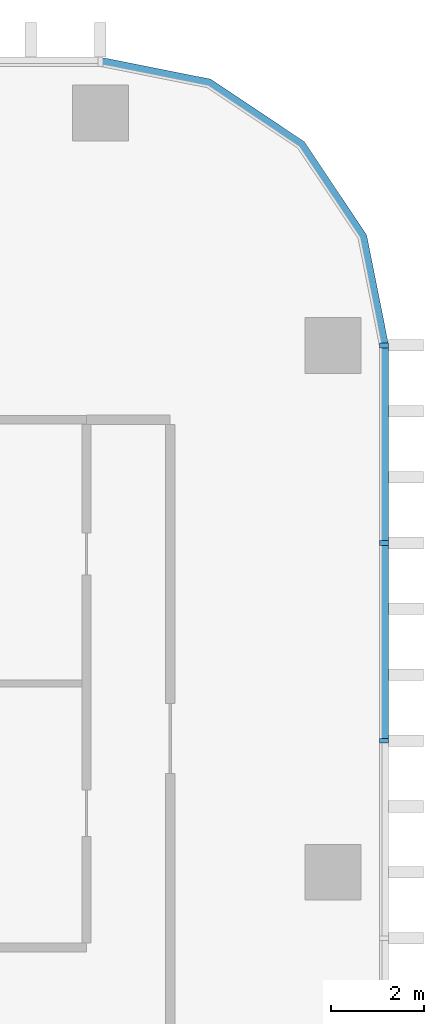
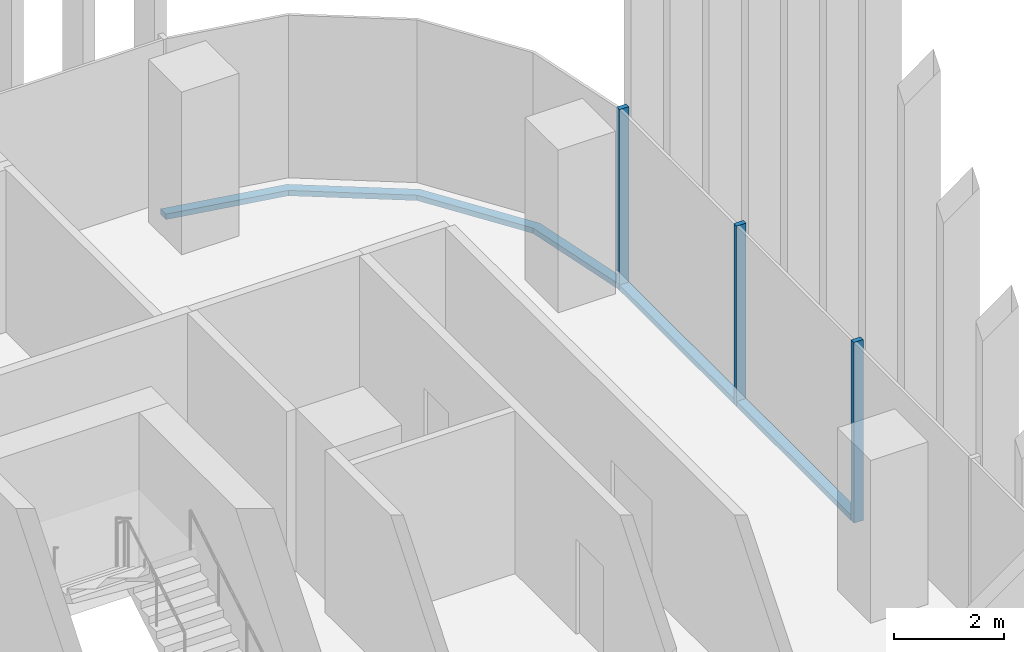
# One storey, part 5 of 16: 6 members, 2 elements without a shape of their own.
"""IFC4 building model written with IfcOpenShell, lengths in metres."""

import ifcopenshell
import ifcopenshell.guid

model = None  # the IFC model being written
_history = None  # IfcOwnerHistory: only IFC2X3 demands one
_inside = {}  # id of a spatial element -> (the spatial element, [elements in it])
_under = {}  # id of a project, library or spatial element -> (it, [spatial elements below it])
_declared = {}  # id of a project -> (the project, [libraries it declares])
_typed = {}  # id of a type object -> (the type object, [elements of that type])
_made_of = {}  # id of a material, layer set ... -> (it, [elements and type objects made of it])


def new_model(schema):
    """Start an empty IFC model of exactly this schema.

    Asked for "IFC4X3", IfcOpenShell would pick the latest addendum, in which some entities
    have other attributes; the version numbers below select the first issue.
    IFC2X3 requires an IfcOwnerHistory on every rooted entity: one is made here for all.
    """
    global model, _history
    if schema == "IFC4X3":
        model = ifcopenshell.file(schema_version=(4, 3, 0, 0))
    else:
        model = ifcopenshell.file(schema=schema)
    _inside.clear()
    _under.clear()
    _declared.clear()
    _typed.clear()
    _made_of.clear()
    _history = None
    if model.schema == "IFC2X3":
        org = make("IfcOrganization", Name="unknown")
        user = make(
            "IfcPersonAndOrganization",
            ThePerson=make("IfcPerson", FamilyName="unknown"),
            TheOrganization=org,
        )
        app = make(
            "IfcApplication",
            ApplicationDeveloper=org,
            Version="unknown",
            ApplicationFullName="unknown",
            ApplicationIdentifier="unknown",
        )
        _history = make(
            "IfcOwnerHistory",
            OwningUser=user,
            OwningApplication=app,
            ChangeAction="ADDED",
            CreationDate=0,
        )
    return model


def make(cls, **values):
    """One entity of the class cls with the attributes given. An attribute that is None is left unset."""
    return model.create_entity(
        cls, **{name: value for name, value in values.items() if value is not None}
    )


def rooted(cls, **values):
    """An entity with a GlobalId (a new one), such as an element, a storey or a relation."""
    return make(cls, GlobalId=ifcopenshell.guid.new(), OwnerHistory=_history, **values)


def si_unit(unit_type, name, prefix=None):
    """IfcSIUnit, for example si_unit("LENGTHUNIT", "METRE", prefix="MILLI")."""
    return make("IfcSIUnit", UnitType=unit_type, Prefix=prefix, Name=name)


def assignment(units):
    """IfcUnitAssignment: the units of a project."""
    return None if units is None else make("IfcUnitAssignment", Units=units)


def point(xyz):
    """IfcCartesianPoint."""
    return None if xyz is None else make("IfcCartesianPoint", Coordinates=xyz)


def direction(xyz):
    """IfcDirection."""
    return None if xyz is None else make("IfcDirection", DirectionRatios=xyz)


def frame(location, z_axis=None, x_axis=None):
    """IfcAxis2Placement3D, a coordinate frame: its origin and axes. An axis left out is left unset."""
    return make(
        "IfcAxis2Placement3D",
        Location=point(location),
        Axis=direction(z_axis),
        RefDirection=direction(x_axis),
    )


def frame_2d(location, x_axis=None):
    """IfcAxis2Placement2D, a coordinate frame in the plane: its origin and x axis."""
    return make(
        "IfcAxis2Placement2D", Location=point(location), RefDirection=direction(x_axis)
    )


def origin():
    """The frame at (0, 0, 0) with its axes left unset."""
    return frame((0.0, 0.0, 0.0))


def origin_2d():
    """The frame at (0, 0) in the plane with its x axis left unset."""
    return frame_2d((0.0, 0.0))


def place(relative_to, where):
    """IfcLocalPlacement: puts the frame where relative to a parent placement (None: the world)."""
    return make(
        "IfcLocalPlacement", PlacementRelTo=relative_to, RelativePlacement=where
    )


def context(
    kind, dimensions, precision=None, world=None, true_north=None, identifier=None
):
    """IfcGeometricRepresentationContext, for example the 3D "Model" context."""
    return make(
        "IfcGeometricRepresentationContext",
        ContextIdentifier=identifier,
        ContextType=kind,
        CoordinateSpaceDimension=dimensions,
        Precision=precision,
        WorldCoordinateSystem=world,
        TrueNorth=true_north,
    )


def subcontext(parent, identifier, kind, view, scale=None):
    """IfcGeometricRepresentationSubContext, for example "Body" below "Model"."""
    return make(
        "IfcGeometricRepresentationSubContext",
        ContextIdentifier=identifier,
        ContextType=kind,
        ParentContext=parent,
        TargetScale=scale,
        TargetView=view,
    )


def project(units=None, contexts=None):
    """IfcProject with its units and contexts."""
    return rooted(
        "IfcProject",
        Name="project",
        RepresentationContexts=contexts,
        UnitsInContext=assignment(units),
    )


def spatial(cls, under=None, at=None, **own):
    """A site, building, storey or space (cls), placed at a placement, below another one or the project."""
    s = rooted(cls, ObjectPlacement=at, **own)
    if under is not None:
        _under.setdefault(under.id(), (under, []))[1].append(s)
    return s


def polyline(points):
    """IfcPolyline through the points."""
    return make("IfcPolyline", Points=[point(p) for p in points])


def profile(cls, at=None, kind="AREA", **sizes):
    """A parametric profile (cls). Its sizes go by their IFC names, for example OverallWidth=200.0."""
    return make(cls, ProfileType=kind, Position=at, **sizes)


def rectangle(**sizes):
    """IfcRectangleProfileDef."""
    return profile("IfcRectangleProfileDef", **sizes)


def outline(outer, holes=None, kind="AREA"):
    """IfcArbitraryClosedProfileDef: a profile drawn as a closed curve; with holes, ...WithVoids."""
    if holes is None:
        return make("IfcArbitraryClosedProfileDef", ProfileType=kind, OuterCurve=outer)
    return make(
        "IfcArbitraryProfileDefWithVoids",
        ProfileType=kind,
        OuterCurve=outer,
        InnerCurves=holes,
    )


def extrude(swept, where, along, depth):
    """IfcExtrudedAreaSolid: the profile swept, set in the frame where, extruded along a direction by depth."""
    return make(
        "IfcExtrudedAreaSolid",
        SweptArea=swept,
        Position=where,
        ExtrudedDirection=direction(along),
        Depth=depth,
    )


def shape(context_of_items, identifier, shape_type, items):
    """IfcShapeRepresentation: the items that make up one representation, for example the "Body"."""
    return make(
        "IfcShapeRepresentation",
        ContextOfItems=context_of_items,
        RepresentationIdentifier=identifier,
        RepresentationType=shape_type,
        Items=items,
    )


def material(Name=None, Category=None):
    """IfcMaterial."""
    return make("IfcMaterial", Name=Name, Category=Category)


def material_profile(
    of_material, cross_section, Name=None, Category=None, Priority=None
):
    """IfcMaterialProfile: a cross section and its material."""
    return make(
        "IfcMaterialProfile",
        Name=Name,
        Material=of_material,
        Profile=cross_section,
        Priority=Priority,
        Category=Category,
    )


def profile_set(profiles, Name=None, composite=None):
    """IfcMaterialProfileSet."""
    return make(
        "IfcMaterialProfileSet",
        Name=Name,
        MaterialProfiles=profiles,
        CompositeProfile=composite,
    )


def made_of(thing, what):
    """Note that an element or type object is made of a material, layer set ...; save() writes the relation."""
    if what is not None:
        _made_of.setdefault(what.id(), (what, []))[1].append(thing)
    return thing


def type_object(cls, material=None, **own):
    """A type object (cls), such as IfcWallType, which elements share."""
    return made_of(rooted(cls, **own), material)


def element(
    cls,
    number,
    at=None,
    inside=None,
    cuts=None,
    type_object=None,
    material=None,
    context=None,
    identifier="Body",
    shape_type=None,
    held_by="IfcProductDefinitionShape",
    body=None,
    shapes=None,
    **own,
):
    """One element of the class cls, such as IfcWall. Its Tag is "e" and its number.

    at: its placement. inside: the storey or other place that contains it. cuts: it is an
    opening in that element (IfcRelVoidsElement). A single representation is given by context,
    identifier, shape_type and body (its items); several are given by shapes. held_by: the class
    of the entity that holds the representations. save() writes the other relations.
    """
    e = rooted(cls, Tag="e%d" % number, ObjectPlacement=at, **own)
    if body is not None:
        shapes = [shape(context, identifier, shape_type, body)]
    if shapes is not None:
        e.Representation = make(held_by, Representations=shapes)
    if inside is not None:
        _inside.setdefault(inside.id(), (inside, []))[1].append(e)
    if cuts is not None:
        rooted(
            "IfcRelVoidsElement", RelatingBuildingElement=cuts, RelatedOpeningElement=e
        )
    if type_object is not None:
        _typed.setdefault(type_object.id(), (type_object, []))[1].append(e)
    return made_of(e, material)


def aggregate(whole, parts):
    """IfcRelAggregates: a whole, such as a stair, and the parts it consists of."""
    return rooted("IfcRelAggregates", RelatingObject=whole, RelatedObjects=parts)


def save(model, path):
    """Write the relations noted so far, then the file.

    IfcRelAggregates (storeys below a building ...), IfcRelContainedInSpatialStructure (elements
    in a storey), IfcRelDefinesByType, IfcRelAssociatesMaterial and IfcRelDeclares: one each for
    every whole, place, type object, material and project.
    """
    for whole, parts in _under.values():
        aggregate(whole, parts)
    for where, things in _inside.values():
        rooted(
            "IfcRelContainedInSpatialStructure",
            RelatedElements=things,
            RelatingStructure=where,
        )
    for kind, things in _typed.values():
        rooted("IfcRelDefinesByType", RelatedObjects=things, RelatingType=kind)
    for what, things in _made_of.values():
        rooted("IfcRelAssociatesMaterial", RelatedObjects=things, RelatingMaterial=what)
    for by, libraries in _declared.values():
        rooted("IfcRelDeclares", RelatingContext=by, RelatedDefinitions=libraries)
    model.write(path)


model = new_model("IFC4")

# Units and contexts
model_context = context("Model", 3, precision=1e-05, world=origin(), true_north=direction((0.0, 1.0)))
body_context = subcontext(model_context, "Body", "Model", "MODEL_VIEW")
ifc_project = project(units=[si_unit("LENGTHUNIT", "METRE"), si_unit("AREAUNIT", "SQUARE_METRE"), si_unit("VOLUMEUNIT", "CUBIC_METRE"), si_unit("PLANEANGLEUNIT", "RADIAN"), si_unit("MASSUNIT", "GRAM", prefix="KILO")], contexts=[model_context])

# Site, building, storey
site_placement = place(None, origin())
site = spatial("IfcSite", under=ifc_project, at=site_placement, CompositionType="ELEMENT")
building_placement = place(site_placement, origin())
building = spatial("IfcBuilding", under=site, at=building_placement, Name="Mopane Tessera Tower", CompositionType="ELEMENT")
storey_placement = place(building_placement, frame((0.0, 0.0, 193.0)))
storey = spatial("IfcBuildingStorey", under=building, at=storey_placement, Name="L40", CompositionType="ELEMENT", Elevation=193.0)

# Curtain wall, members
ifc_material_1 = material(Name="Aluminium frame", Category="aluminium")
curtain_wall_type = type_object("IfcCurtainWallType", Name="Unitised curtain wall", PredefinedType="NOTDEFINED", material=ifc_material_1)
curtain_wall_1_placement = place(storey_placement, origin())
curtain_wall_1 = element("IfcCurtainWall", 1, at=curtain_wall_1_placement, inside=storey, type_object=curtain_wall_type, Name="e:cw:L40:E:0", PredefinedType="NOTDEFINED")
ifc_material_2 = material(Name="Aluminium frame", Category="aluminium")
ifc_material_profile_1 = material_profile(ifc_material_2, rectangle(XDim=0.10009765625, YDim=0.199951171875, at=origin_2d()))
ifc_profile_set_1 = profile_set([ifc_material_profile_1], Name="Aluminium frame")
member_type_1 = type_object("IfcMemberType", Name="Aluminium mullion 100 x 200", PredefinedType="MULLION", material=ifc_profile_set_1)
member_1_placement = place(storey_placement, frame((26.300048828125, 8.5, -0.39990234375), z_axis=(0.0, 0.0, 1.0), x_axis=(0.0, 1.0, 0.0)))
member_1 = element("IfcMember", 2, at=member_1_placement, type_object=member_type_1, Name="e:cw:L40:E:0:mu6", PredefinedType="MULLION", context=body_context, shape_type="SweptSolid", body=[
    extrude(rectangle(XDim=0.10009765625, YDim=0.199951171875, at=origin_2d()), origin(), (0.0, 0.0, 1.0), 4.0),
])
member_2_placement = place(storey_placement, frame((26.300048828125, 12.75, -0.39990234375), z_axis=(0.0, 0.0, 1.0), x_axis=(0.0, 1.0, 0.0)))
member_2 = element("IfcMember", 3, at=member_2_placement, type_object=member_type_1, Name="e:cw:L40:E:0:mu7", PredefinedType="MULLION", context=body_context, shape_type="SweptSolid", body=[
    extrude(rectangle(XDim=0.10009765625, YDim=0.199951171875, at=origin_2d()), origin(), (0.0, 0.0, 1.0), 4.0),
])
member_3_placement = place(storey_placement, frame((26.300048828125, 17.0, -0.39990234375), z_axis=(0.0, 0.0, 1.0), x_axis=(0.0, 1.0, 0.0)))
member_3 = element("IfcMember", 4, at=member_3_placement, type_object=member_type_1, Name="e:cw:L40:E:0:mu8", PredefinedType="MULLION", context=body_context, shape_type="SweptSolid", body=[
    extrude(rectangle(XDim=0.10009765625, YDim=0.199951171875, at=origin_2d()), origin(), (0.0, 0.0, 1.0), 4.0),
])
ifc_material_3 = material(Name="Aluminium frame", Category="aluminium")
ifc_material_profile_2 = material_profile(ifc_material_3, rectangle(XDim=0.199951171875, YDim=0.1201171875, at=origin_2d()))
ifc_profile_set_2 = profile_set([ifc_material_profile_2], Name="Aluminium frame")
member_type_2 = type_object("IfcMemberType", Name="Aluminium transom 200 x 120", PredefinedType="USERDEFINED", material=ifc_profile_set_2)
member_4_placement = place(storey_placement, frame((26.300048828125, 8.550048828125, -0.340087890625), z_axis=(0.0, 1.0, 0.0), x_axis=(-1.0, 0.0, 0.0)))
member_4 = element("IfcMember", 5, at=member_4_placement, type_object=member_type_2, Name="e:cw:L40:E:0:tr6", ObjectType="TRANSOM", PredefinedType="USERDEFINED", context=body_context, shape_type="SweptSolid", body=[
    extrude(rectangle(XDim=0.199951171875, YDim=0.1201171875, at=origin_2d()), origin(), (0.0, 0.0, 1.0), 4.14990234375),
])
member_5_placement = place(storey_placement, frame((26.300048828125, 12.800048828125, -0.340087890625), z_axis=(0.0, 1.0, 0.0), x_axis=(-1.0, 0.0, 0.0)))
member_5 = element("IfcMember", 6, at=member_5_placement, type_object=member_type_2, Name="e:cw:L40:E:0:tr7", ObjectType="TRANSOM", PredefinedType="USERDEFINED", context=body_context, shape_type="SweptSolid", body=[
    extrude(rectangle(XDim=0.199951171875, YDim=0.1201171875, at=origin_2d()), origin(), (0.0, 0.0, 1.0), 4.14990234375),
])
aggregate(curtain_wall_1, [member_1, member_2, member_3, member_4, member_5])

# Curtain wall, member
curtain_wall_2_placement = place(storey_placement, origin())
curtain_wall_2 = element("IfcCurtainWall", 7, at=curtain_wall_2_placement, inside=storey, type_object=curtain_wall_type, Name="e:cw:L40:CE", PredefinedType="NOTDEFINED")
member_6_placement = place(storey_placement, frame((0.0, 0.0, -0.39990234375)))
member_6 = element("IfcMember", 8, at=member_6_placement, type_object=member_type_2, Name="e:cw:L40:CE:tr", ObjectType="TRANSOM", PredefinedType="USERDEFINED", context=body_context, shape_type="SweptSolid", body=[
    extrude(outline(polyline([(26.199951171875, 17.0), (25.7431640625, 19.296142578125), (24.442626953125, 21.24267578125), (22.49609375, 22.543212890625), (20.199951171875, 23.0), (20.199951171875, 23.199951171875), (22.57275390625, 22.72802734375), (24.583984375, 21.384033203125), (25.927978515625, 19.37255859375), (26.39990234375, 17.0), (26.199951171875, 17.0)])), origin(), (0.0, 0.0, 1.0), 0.119873046875),
])
aggregate(curtain_wall_2, [member_6])

save(model, "model.ifc")
